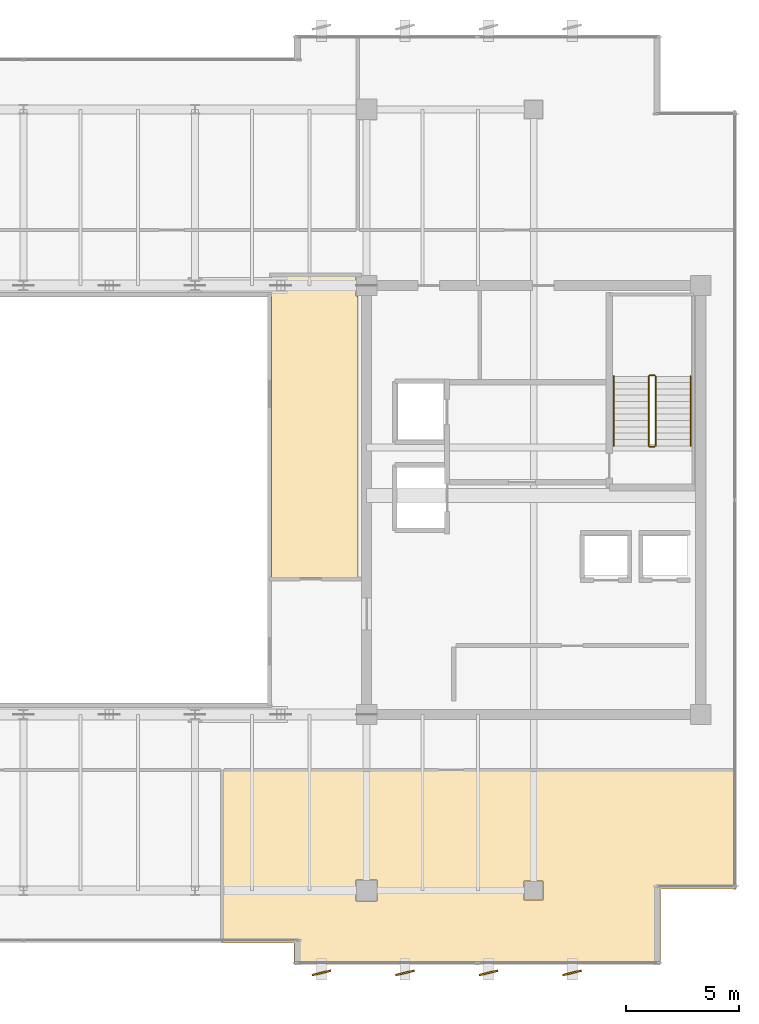
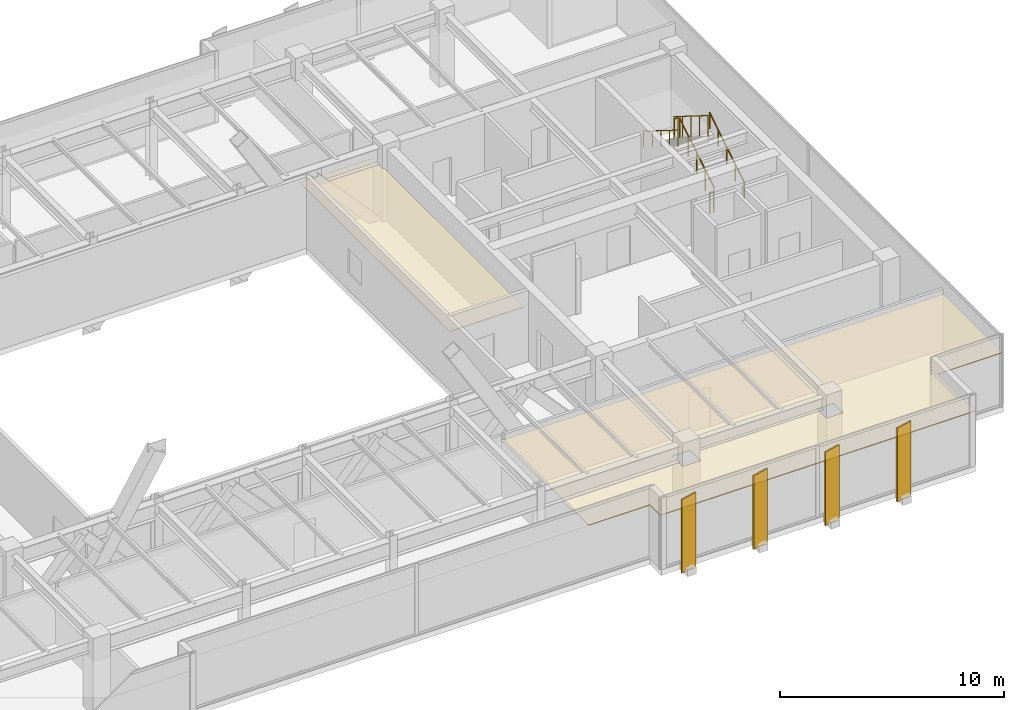
# One storey, part 31 of 32: 6 railings, 4 shading devices, 2 coverings.
"""IFC4 building model written with IfcOpenShell, lengths in metres."""

import ifcopenshell
import ifcopenshell.guid

model = None  # the IFC model being written
_history = None  # IfcOwnerHistory: only IFC2X3 demands one
_inside = {}  # id of a spatial element -> (the spatial element, [elements in it])
_under = {}  # id of a project, library or spatial element -> (it, [spatial elements below it])
_declared = {}  # id of a project -> (the project, [libraries it declares])
_typed = {}  # id of a type object -> (the type object, [elements of that type])
_made_of = {}  # id of a material, layer set ... -> (it, [elements and type objects made of it])


def new_model(schema):
    """Start an empty IFC model of exactly this schema.

    Asked for "IFC4X3", IfcOpenShell would pick the latest addendum, in which some entities
    have other attributes; the version numbers below select the first issue.
    IFC2X3 requires an IfcOwnerHistory on every rooted entity: one is made here for all.
    """
    global model, _history
    if schema == "IFC4X3":
        model = ifcopenshell.file(schema_version=(4, 3, 0, 0))
    else:
        model = ifcopenshell.file(schema=schema)
    _inside.clear()
    _under.clear()
    _declared.clear()
    _typed.clear()
    _made_of.clear()
    _history = None
    if model.schema == "IFC2X3":
        org = make("IfcOrganization", Name="unknown")
        user = make(
            "IfcPersonAndOrganization",
            ThePerson=make("IfcPerson", FamilyName="unknown"),
            TheOrganization=org,
        )
        app = make(
            "IfcApplication",
            ApplicationDeveloper=org,
            Version="unknown",
            ApplicationFullName="unknown",
            ApplicationIdentifier="unknown",
        )
        _history = make(
            "IfcOwnerHistory",
            OwningUser=user,
            OwningApplication=app,
            ChangeAction="ADDED",
            CreationDate=0,
        )
    return model


def make(cls, **values):
    """One entity of the class cls with the attributes given. An attribute that is None is left unset."""
    return model.create_entity(
        cls, **{name: value for name, value in values.items() if value is not None}
    )


def rooted(cls, **values):
    """An entity with a GlobalId (a new one), such as an element, a storey or a relation."""
    return make(cls, GlobalId=ifcopenshell.guid.new(), OwnerHistory=_history, **values)


def si_unit(unit_type, name, prefix=None):
    """IfcSIUnit, for example si_unit("LENGTHUNIT", "METRE", prefix="MILLI")."""
    return make("IfcSIUnit", UnitType=unit_type, Prefix=prefix, Name=name)


def assignment(units):
    """IfcUnitAssignment: the units of a project."""
    return None if units is None else make("IfcUnitAssignment", Units=units)


def point(xyz):
    """IfcCartesianPoint."""
    return None if xyz is None else make("IfcCartesianPoint", Coordinates=xyz)


def direction(xyz):
    """IfcDirection."""
    return None if xyz is None else make("IfcDirection", DirectionRatios=xyz)


def frame(location, z_axis=None, x_axis=None):
    """IfcAxis2Placement3D, a coordinate frame: its origin and axes. An axis left out is left unset."""
    return make(
        "IfcAxis2Placement3D",
        Location=point(location),
        Axis=direction(z_axis),
        RefDirection=direction(x_axis),
    )


def frame_2d(location, x_axis=None):
    """IfcAxis2Placement2D, a coordinate frame in the plane: its origin and x axis."""
    return make(
        "IfcAxis2Placement2D", Location=point(location), RefDirection=direction(x_axis)
    )


def origin():
    """The frame at (0, 0, 0) with its axes left unset."""
    return frame((0.0, 0.0, 0.0))


def origin_2d():
    """The frame at (0, 0) in the plane with its x axis left unset."""
    return frame_2d((0.0, 0.0))


def place(relative_to, where):
    """IfcLocalPlacement: puts the frame where relative to a parent placement (None: the world)."""
    return make(
        "IfcLocalPlacement", PlacementRelTo=relative_to, RelativePlacement=where
    )


def context(
    kind, dimensions, precision=None, world=None, true_north=None, identifier=None
):
    """IfcGeometricRepresentationContext, for example the 3D "Model" context."""
    return make(
        "IfcGeometricRepresentationContext",
        ContextIdentifier=identifier,
        ContextType=kind,
        CoordinateSpaceDimension=dimensions,
        Precision=precision,
        WorldCoordinateSystem=world,
        TrueNorth=true_north,
    )


def subcontext(parent, identifier, kind, view, scale=None):
    """IfcGeometricRepresentationSubContext, for example "Body" below "Model"."""
    return make(
        "IfcGeometricRepresentationSubContext",
        ContextIdentifier=identifier,
        ContextType=kind,
        ParentContext=parent,
        TargetScale=scale,
        TargetView=view,
    )


def project(units=None, contexts=None):
    """IfcProject with its units and contexts."""
    return rooted(
        "IfcProject",
        Name="project",
        RepresentationContexts=contexts,
        UnitsInContext=assignment(units),
    )


def spatial(cls, under=None, at=None, **own):
    """A site, building, storey or space (cls), placed at a placement, below another one or the project."""
    s = rooted(cls, ObjectPlacement=at, **own)
    if under is not None:
        _under.setdefault(under.id(), (under, []))[1].append(s)
    return s


def polyline(points):
    """IfcPolyline through the points."""
    return make("IfcPolyline", Points=[point(p) for p in points])


def profile(cls, at=None, kind="AREA", **sizes):
    """A parametric profile (cls). Its sizes go by their IFC names, for example OverallWidth=200.0."""
    return make(cls, ProfileType=kind, Position=at, **sizes)


def rectangle(**sizes):
    """IfcRectangleProfileDef."""
    return profile("IfcRectangleProfileDef", **sizes)


def circle(**sizes):
    """IfcCircleProfileDef."""
    return profile("IfcCircleProfileDef", **sizes)


def outline(outer, holes=None, kind="AREA"):
    """IfcArbitraryClosedProfileDef: a profile drawn as a closed curve; with holes, ...WithVoids."""
    if holes is None:
        return make("IfcArbitraryClosedProfileDef", ProfileType=kind, OuterCurve=outer)
    return make(
        "IfcArbitraryProfileDefWithVoids",
        ProfileType=kind,
        OuterCurve=outer,
        InnerCurves=holes,
    )


def extrude(swept, where, along, depth):
    """IfcExtrudedAreaSolid: the profile swept, set in the frame where, extruded along a direction by depth."""
    return make(
        "IfcExtrudedAreaSolid",
        SweptArea=swept,
        Position=where,
        ExtrudedDirection=direction(along),
        Depth=depth,
    )


def shape(context_of_items, identifier, shape_type, items):
    """IfcShapeRepresentation: the items that make up one representation, for example the "Body"."""
    return make(
        "IfcShapeRepresentation",
        ContextOfItems=context_of_items,
        RepresentationIdentifier=identifier,
        RepresentationType=shape_type,
        Items=items,
    )


def source(mapping_origin, context_of_items, identifier, shape_type, items):
    """IfcRepresentationMap: a shape defined once, which mapped items show again and again."""
    return make(
        "IfcRepresentationMap",
        MappingOrigin=mapping_origin,
        MappedRepresentation=shape(context_of_items, identifier, shape_type, items),
    )


def transform(
    local_origin,
    x_axis=None,
    y_axis=None,
    z_axis=None,
    scale=None,
    scale2=None,
    scale3=None,
    uniform=True,
):
    """IfcCartesianTransformationOperator3D, or its non-uniform kind. x_axis, y_axis, z_axis: its Axis1, 2, 3."""
    if uniform:
        return make(
            "IfcCartesianTransformationOperator3D",
            Axis1=direction(x_axis),
            Axis2=direction(y_axis),
            LocalOrigin=point(local_origin),
            Scale=scale,
            Axis3=direction(z_axis),
        )
    return make(
        "IfcCartesianTransformationOperator3DnonUniform",
        Axis1=direction(x_axis),
        Axis2=direction(y_axis),
        LocalOrigin=point(local_origin),
        Scale=scale,
        Axis3=direction(z_axis),
        Scale2=scale2,
        Scale3=scale3,
    )


def mapped(mapping_source, mapping_target):
    """IfcMappedItem: shows the shape of a source again, moved by a transform."""
    return make(
        "IfcMappedItem", MappingSource=mapping_source, MappingTarget=mapping_target
    )


def material(Name=None, Category=None):
    """IfcMaterial."""
    return make("IfcMaterial", Name=Name, Category=Category)


def layer(
    of_material, thickness, ventilated=None, Name=None, Category=None, Priority=None
):
    """IfcMaterialLayer: one layer of a wall or slab, of a material (None: an air gap)."""
    return make(
        "IfcMaterialLayer",
        Material=of_material,
        LayerThickness=thickness,
        IsVentilated=ventilated,
        Name=Name,
        Category=Category,
        Priority=Priority,
    )


def layer_set(layers, Name=None):
    """IfcMaterialLayerSet."""
    return make("IfcMaterialLayerSet", MaterialLayers=layers, LayerSetName=Name)


def material_profile(
    of_material, cross_section, Name=None, Category=None, Priority=None
):
    """IfcMaterialProfile: a cross section and its material."""
    return make(
        "IfcMaterialProfile",
        Name=Name,
        Material=of_material,
        Profile=cross_section,
        Priority=Priority,
        Category=Category,
    )


def profile_set(profiles, Name=None, composite=None):
    """IfcMaterialProfileSet."""
    return make(
        "IfcMaterialProfileSet",
        Name=Name,
        MaterialProfiles=profiles,
        CompositeProfile=composite,
    )


def made_of(thing, what):
    """Note that an element or type object is made of a material, layer set ...; save() writes the relation."""
    if what is not None:
        _made_of.setdefault(what.id(), (what, []))[1].append(thing)
    return thing


def type_object(cls, material=None, **own):
    """A type object (cls), such as IfcWallType, which elements share."""
    return made_of(rooted(cls, **own), material)


def type_shapes(of_type, sources):
    """Give a type object the sources (RepresentationMaps) that its elements show as mapped items."""
    of_type.RepresentationMaps = sources


def element(
    cls,
    number,
    at=None,
    inside=None,
    cuts=None,
    type_object=None,
    material=None,
    context=None,
    identifier="Body",
    shape_type=None,
    held_by="IfcProductDefinitionShape",
    body=None,
    shapes=None,
    **own,
):
    """One element of the class cls, such as IfcWall. Its Tag is "e" and its number.

    at: its placement. inside: the storey or other place that contains it. cuts: it is an
    opening in that element (IfcRelVoidsElement). A single representation is given by context,
    identifier, shape_type and body (its items); several are given by shapes. held_by: the class
    of the entity that holds the representations. save() writes the other relations.
    """
    e = rooted(cls, Tag="e%d" % number, ObjectPlacement=at, **own)
    if body is not None:
        shapes = [shape(context, identifier, shape_type, body)]
    if shapes is not None:
        e.Representation = make(held_by, Representations=shapes)
    if inside is not None:
        _inside.setdefault(inside.id(), (inside, []))[1].append(e)
    if cuts is not None:
        rooted(
            "IfcRelVoidsElement", RelatingBuildingElement=cuts, RelatedOpeningElement=e
        )
    if type_object is not None:
        _typed.setdefault(type_object.id(), (type_object, []))[1].append(e)
    return made_of(e, material)


def aggregate(whole, parts):
    """IfcRelAggregates: a whole, such as a stair, and the parts it consists of."""
    return rooted("IfcRelAggregates", RelatingObject=whole, RelatedObjects=parts)


def save(model, path):
    """Write the relations noted so far, then the file.

    IfcRelAggregates (storeys below a building ...), IfcRelContainedInSpatialStructure (elements
    in a storey), IfcRelDefinesByType, IfcRelAssociatesMaterial and IfcRelDeclares: one each for
    every whole, place, type object, material and project.
    """
    for whole, parts in _under.values():
        aggregate(whole, parts)
    for where, things in _inside.values():
        rooted(
            "IfcRelContainedInSpatialStructure",
            RelatedElements=things,
            RelatingStructure=where,
        )
    for kind, things in _typed.values():
        rooted("IfcRelDefinesByType", RelatedObjects=things, RelatingType=kind)
    for what, things in _made_of.values():
        rooted("IfcRelAssociatesMaterial", RelatedObjects=things, RelatingMaterial=what)
    for by, libraries in _declared.values():
        rooted("IfcRelDeclares", RelatingContext=by, RelatedDefinitions=libraries)
    model.write(path)


model = new_model("IFC4")

# Units and contexts
model_context = context("Model", 3, precision=1e-05, world=origin(), true_north=direction((0.0, 1.0)))
body_context = subcontext(model_context, "Body", "Model", "MODEL_VIEW")
ifc_project = project(units=[si_unit("LENGTHUNIT", "METRE"), si_unit("AREAUNIT", "SQUARE_METRE"), si_unit("VOLUMEUNIT", "CUBIC_METRE"), si_unit("PLANEANGLEUNIT", "RADIAN"), si_unit("MASSUNIT", "GRAM", prefix="KILO")], contexts=[model_context])

# Site, building, storey
site_placement = place(None, origin())
site = spatial("IfcSite", under=ifc_project, at=site_placement, CompositionType="ELEMENT")
building_placement = place(site_placement, origin())
building = spatial("IfcBuilding", under=site, at=building_placement, Name="Haelvirn Gate Laboratories", CompositionType="ELEMENT")
storey_placement = place(building_placement, frame((0.0, 0.0, 306.0)))
storey = spatial("IfcBuildingStorey", under=building, at=storey_placement, Name="L73", CompositionType="ELEMENT", Elevation=306.0)

# Coverings
ifc_material_1 = material(Name="Washable cleanroom gasketed aluminium ceiling", Category="aluminium")
ifc_layer = layer(ifc_material_1, 0.050048828125, Name="COV-CEIL-CLN")
ifc_layer_set = layer_set([ifc_layer], Name="Washable cleanroom gasketed aluminium ceiling")
covering_type = type_object("IfcCoveringType", Name="COV-CEIL-CLN", PredefinedType="CEILING", material=ifc_layer_set)
covering_1_placement = place(storey_placement, frame((0.0, 0.0, 2.919921875)))
element("IfcCovering", 1, at=covering_1_placement, inside=storey, type_object=covering_type, Name="L73 Laboratory Acoustic Ceiling CEIL-SP-L73-EATRIUM-POD", PredefinedType="CEILING", context=body_context, shape_type="SweptSolid", body=[
    extrude(outline(polyline([(52.2099609375, 20.840087890625), (48.389892578125, 20.840087890625), (48.389892578125, 34.239990234375), (52.1298828125, 34.239990234375), (52.1298828125, 33.330078125), (52.2099609375, 33.330078125), (52.2099609375, 20.840087890625)])), origin(), (0.0, 0.0, 1.0), 0.050048828125),
])
covering_2_placement = place(storey_placement, frame((0.0, 0.0, 2.919921875)))
element("IfcCovering", 2, at=covering_2_placement, inside=storey, type_object=covering_type, Name="L73 Laboratory Acoustic Ceiling CEIL-SP-L73-S-03", PredefinedType="CEILING", context=body_context, shape_type="SweptSolid", body=[
    extrude(outline(polyline([(46.219970703125, 12.330078125), (68.949951171875, 12.330078125), (68.949951171875, 7.080078125), (65.6201171875, 7.080078125), (65.6201171875, 3.75), (49.3798828125, 3.75), (49.3798828125, 4.679931640625), (46.219970703125, 4.679931640625), (46.219970703125, 12.330078125)]), holes=[polyline([(52.1298828125, 7.469970703125), (52.1298828125, 6.530029296875), (53.070068359375, 6.530029296875), (53.070068359375, 7.469970703125), (52.1298828125, 7.469970703125)]), polyline([(60.419921875, 7.419921875), (59.580078125, 7.419921875), (59.580078125, 6.580078125), (60.419921875, 6.580078125), (60.419921875, 7.419921875)])]), origin(), (0.0, 0.0, 1.0), 0.050048828125),
])

# Shading devices
ifc_material_2 = material(Name="Extruded aluminium 6063-T6 (anodised bronze)", Category="aluminium")
ifc_material_profile = material_profile(ifc_material_2, rectangle(XDim=0.074951171875, YDim=0.85009765625, at=origin_2d()), Name="FIN-850x75")
ifc_profile_set = profile_set([ifc_material_profile], Name="Extruded aluminium 6063-T6 (anodised bronze)")
shading_device_type = type_object("IfcShadingDeviceType", Name="SHD-FIN-850", PredefinedType="USERDEFINED", material=ifc_profile_set)
shared_shape_1 = source(origin(), body_context, "Body", "SweptSolid", [
    extrude(rectangle(XDim=0.074951171875, YDim=0.85009765625, at=origin_2d()), origin(), (0.0, 0.0, 1.0), 4.02001953125),
])
type_shapes(shading_device_type, [shared_shape_1])
for number, where, z_axis, x_axis, name in (
    (3, (50.60009765625, 3.35498046875, -0.179931640625), (0.0, 0.0, 1.0), (-0.235142113103, 0.971961000579, 0.0), "L73 Fluted Bronze Vertical Fin S03"),
    (4, (54.300048828125, 3.35498046875, -0.179931640625), (0.0, 0.0, 1.0), (-0.235142113103, 0.971961000579, 0.0), "L73 Fluted Bronze Vertical Fin S04"),
    (5, (58.0, 3.35498046875, -0.179931640625), (0.0, 0.0, 1.0), (-0.235142113103, 0.971961000579, 0.0), "L73 Fluted Bronze Vertical Fin S05"),
    (6, (61.699951171875, 3.35498046875, -0.179931640625), (0.0, 0.0, 1.0), (-0.235142113103, 0.971961000579, 0.0), "L73 Fluted Bronze Vertical Fin S06"),
):
    element("IfcShadingDevice", number, at=place(storey_placement, frame(where, z_axis=z_axis, x_axis=x_axis)), inside=storey, type_object=shading_device_type, Name=name, ObjectType="FIN", PredefinedType="USERDEFINED", context=body_context, shape_type="MappedRepresentation", body=[
        mapped(shared_shape_1, transform((0.0, 0.0, 0.0), scale=1.0)),
    ])

# Railings
ifc_material_3 = material(Name="Galvanised steel SM355 & stainless top rail", Category="steel")
railing_type_1 = type_object("IfcRailingType", Name="RL-GUARD-1150", PredefinedType="GUARDRAIL", material=ifc_material_3)
shared_shape_2 = source(origin(), body_context, "Body", "SweptSolid", [
    extrude(circle(Radius=0.02392578125, at=origin_2d()), frame((0.0, 0.0, 1.1259765625), z_axis=(0.0, 0.847998304005, 0.529998940003), x_axis=(-1.0, 0.0, 0.0)), (0.0, 0.0, 1.0), 3.632080078125),
    extrude(circle(Radius=0.02099609375, at=origin_2d()), origin(), (0.0, 0.0, 1.0), 1.101806640625),
    extrude(circle(Radius=0.02099609375, at=origin_2d()), frame((0.0, 0.77001953125, 0.481201171875)), (0.0, 0.0, 1.0), 1.101806640625),
    extrude(circle(Radius=0.02099609375, at=origin_2d()), frame((0.0, 1.5400390625, 0.96240234375)), (0.0, 0.0, 1.0), 1.101806640625),
    extrude(circle(Radius=0.02099609375, at=origin_2d()), frame((0.0, 2.31005859375, 1.44384765625)), (0.0, 0.0, 1.0), 1.101806640625),
    extrude(circle(Radius=0.02099609375, at=origin_2d()), frame((0.0, 3.080078125, 1.925048828125)), (0.0, 0.0, 1.0), 1.101806640625),
])
railing_1_placement = place(storey_placement, frame((65.39990234375, 26.699951171875, 0.175048828125)))
element("IfcRailing", 7, at=railing_1_placement, inside=storey, type_object=railing_type_1, Name="L73 ST2 stair guard 1", PredefinedType="GUARDRAIL", context=body_context, shape_type="MappedRepresentation", body=[
    mapped(shared_shape_2, transform((0.0, 0.0, 0.0), scale=1.0)),
])
shared_shape_3 = source(origin(), body_context, "Body", "SweptSolid", [
    extrude(circle(Radius=0.02392578125, at=origin_2d()), frame((0.0, 0.0, 1.1259765625), z_axis=(0.0, -0.847998304005, 0.529998940003), x_axis=(1.0, 0.0, 0.0)), (0.0, 0.0, 1.0), 3.632080078125),
    extrude(circle(Radius=0.02099609375, at=origin_2d()), origin(), (0.0, 0.0, 1.0), 1.101806640625),
    extrude(circle(Radius=0.02099609375, at=origin_2d()), frame((0.0, -0.77001953125, 0.481201171875)), (0.0, 0.0, 1.0), 1.101806640625),
    extrude(circle(Radius=0.02099609375, at=origin_2d()), frame((0.0, -1.5400390625, 0.96240234375)), (0.0, 0.0, 1.0), 1.101806640625),
    extrude(circle(Radius=0.02099609375, at=origin_2d()), frame((0.0, -2.31005859375, 1.44384765625)), (0.0, 0.0, 1.0), 1.101806640625),
    extrude(circle(Radius=0.02099609375, at=origin_2d()), frame((0.0, -3.080078125, 1.925048828125)), (0.0, 0.0, 1.0), 1.101806640625),
])
railing_2_placement = place(storey_placement, frame((65.10009765625, 29.780029296875, 2.27490234375)))
element("IfcRailing", 8, at=railing_2_placement, inside=storey, type_object=railing_type_1, Name="L73 ST2 stair guard 3", PredefinedType="GUARDRAIL", context=body_context, shape_type="MappedRepresentation", body=[
    mapped(shared_shape_3, transform((0.0, 0.0, 0.0), scale=1.0)),
])
ifc_material_4 = material(Name="Brushed stainless steel 316L", Category="steel")
railing_type_2 = type_object("IfcRailingType", Name="RL-HAND-920", PredefinedType="HANDRAIL", material=ifc_material_4)
shared_shape_4 = source(origin(), body_context, "Body", "SweptSolid", [
    extrude(circle(Radius=0.02392578125, at=origin_2d()), frame((0.0, 0.0, 0.8759765625), z_axis=(0.0, 0.847998304005, 0.529998940003), x_axis=(-1.0, 0.0, 0.0)), (0.0, 0.0, 1.0), 3.632080078125),
    extrude(circle(Radius=0.02099609375, at=origin_2d()), origin(), (0.0, 0.0, 1.0), 0.851806640625),
    extrude(circle(Radius=0.02099609375, at=origin_2d()), frame((0.0, 0.77001953125, 0.481201171875)), (0.0, 0.0, 1.0), 0.851806640625),
    extrude(circle(Radius=0.02099609375, at=origin_2d()), frame((0.0, 1.5400390625, 0.96240234375)), (0.0, 0.0, 1.0), 0.851806640625),
    extrude(circle(Radius=0.02099609375, at=origin_2d()), frame((0.0, 2.31005859375, 1.44384765625)), (0.0, 0.0, 1.0), 0.851806640625),
    extrude(circle(Radius=0.02099609375, at=origin_2d()), frame((0.0, 3.080078125, 1.925048828125)), (0.0, 0.0, 1.0), 0.851806640625),
])
railing_3_placement = place(storey_placement, frame((66.949951171875, 26.699951171875, 0.175048828125)))
element("IfcRailing", 9, at=railing_3_placement, inside=storey, type_object=railing_type_2, Name="L73 ST2 stair handrail 1", PredefinedType="HANDRAIL", context=body_context, shape_type="MappedRepresentation", body=[
    mapped(shared_shape_4, transform((0.0, 0.0, 0.0), scale=1.0)),
])
shared_shape_5 = source(origin(), body_context, "Body", "SweptSolid", [
    extrude(circle(Radius=0.02392578125, at=origin_2d()), frame((0.0, 0.0, 0.8759765625), z_axis=(0.0, -0.847998304005, 0.529998940003), x_axis=(1.0, 0.0, 0.0)), (0.0, 0.0, 1.0), 3.632080078125),
    extrude(circle(Radius=0.02099609375, at=origin_2d()), origin(), (0.0, 0.0, 1.0), 0.851806640625),
    extrude(circle(Radius=0.02099609375, at=origin_2d()), frame((0.0, -0.77001953125, 0.481201171875)), (0.0, 0.0, 1.0), 0.851806640625),
    extrude(circle(Radius=0.02099609375, at=origin_2d()), frame((0.0, -1.5400390625, 0.96240234375)), (0.0, 0.0, 1.0), 0.851806640625),
    extrude(circle(Radius=0.02099609375, at=origin_2d()), frame((0.0, -2.31005859375, 1.44384765625)), (0.0, 0.0, 1.0), 0.851806640625),
    extrude(circle(Radius=0.02099609375, at=origin_2d()), frame((0.0, -3.080078125, 1.925048828125)), (0.0, 0.0, 1.0), 0.851806640625),
])
type_shapes(railing_type_2, [shared_shape_4, shared_shape_5])
railing_4_placement = place(storey_placement, frame((63.550048828125, 29.780029296875, 2.27490234375)))
element("IfcRailing", 10, at=railing_4_placement, inside=storey, type_object=railing_type_2, Name="L73 ST2 stair handrail 2", PredefinedType="HANDRAIL", context=body_context, shape_type="MappedRepresentation", body=[
    mapped(shared_shape_5, transform((0.0, 0.0, 0.0), scale=1.0)),
])
shared_shape_6 = source(origin(), body_context, "Body", "SweptSolid", [
    extrude(circle(Radius=0.02392578125, at=origin_2d()), frame((0.0, 0.0, 1.1259765625), z_axis=(-1.0, 0.0, 0.0), x_axis=(0.0, -1.0, 0.0)), (0.0, 0.0, 1.0), 0.2001953125),
    extrude(circle(Radius=0.02099609375, at=origin_2d()), origin(), (0.0, 0.0, 1.0), 1.101806640625),
    extrude(circle(Radius=0.02099609375, at=origin_2d()), frame((-0.2001953125, 0.0, 0.0)), (0.0, 0.0, 1.0), 1.101806640625),
])
type_shapes(railing_type_1, [shared_shape_2, shared_shape_3, shared_shape_6])
for number, where, name in (
    (11, (65.35009765625, 29.830078125, 2.10009765625), "L73 ST2 stair guard 2"),
    (12, (65.35009765625, 26.64990234375, 0.0), "L73 ST2 stair guard 4"),
):
    element("IfcRailing", number, at=place(storey_placement, frame(where)), inside=storey, type_object=railing_type_1, Name=name, PredefinedType="GUARDRAIL", context=body_context, shape_type="MappedRepresentation", body=[
        mapped(shared_shape_6, transform((0.0, 0.0, 0.0), scale=1.0)),
    ])

save(model, "model.ifc")
